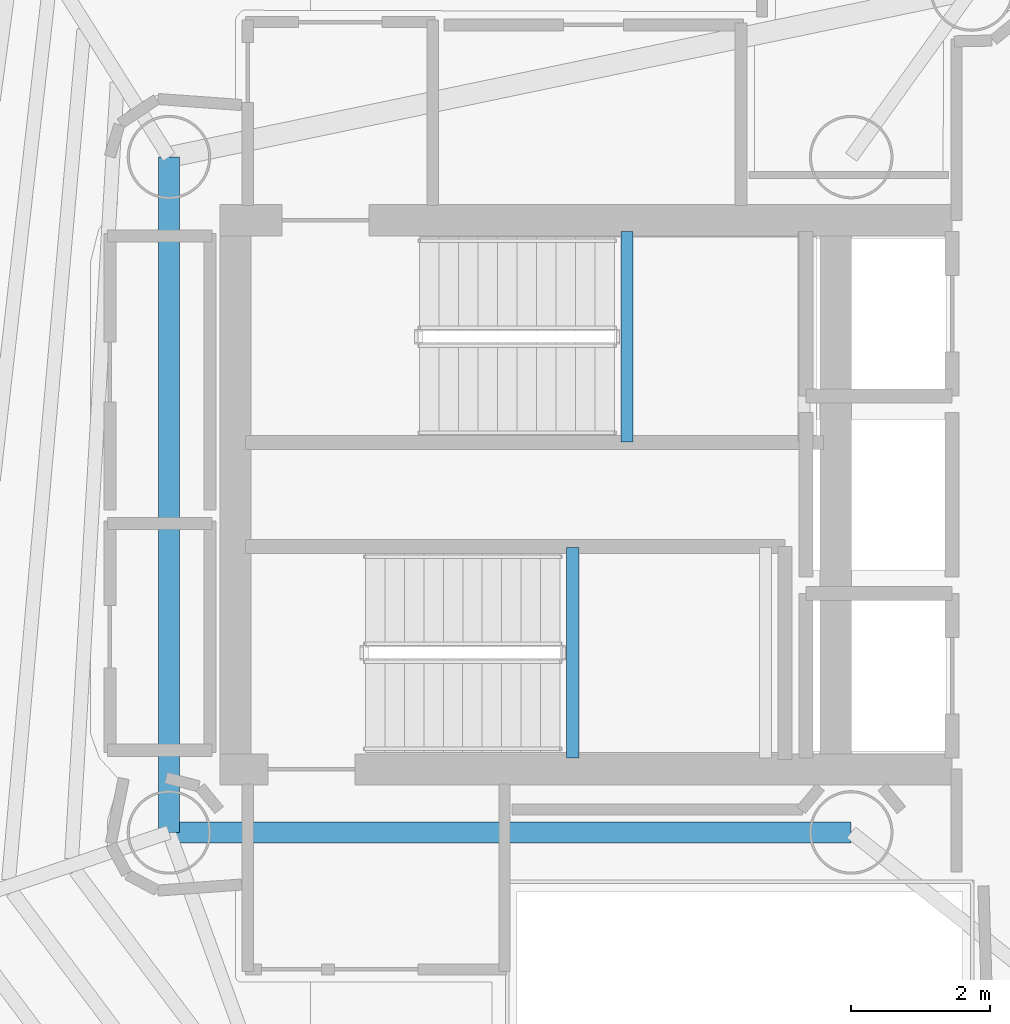
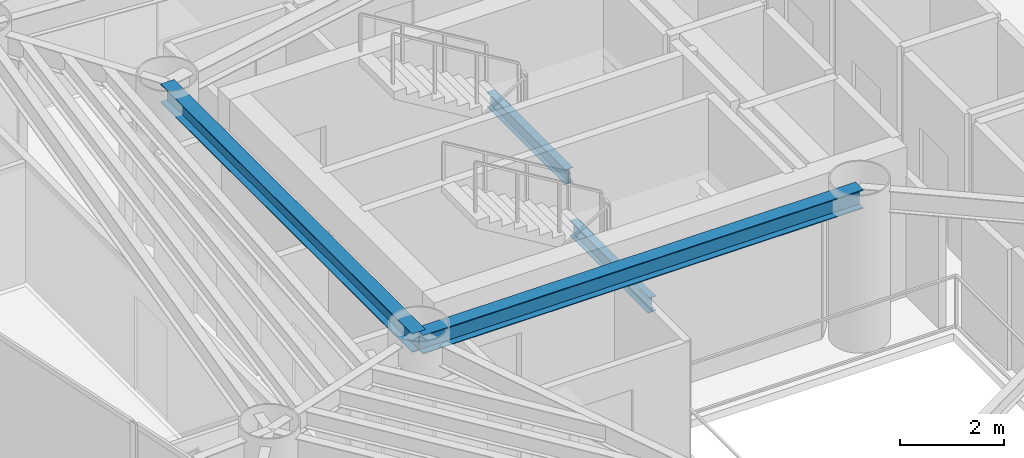
# One storey, part 9 of 22: 4 beams.
"""IFC4 building model written with IfcOpenShell, lengths in metres."""

from ifc_helpers import new_model, si_unit, direction, frame, origin, origin_2d, place, context, subcontext, project, spatial, i_section, extrude, material, material_profile, profile_set, type_object, element, save


model = new_model("IFC4")

# Units and contexts
model_context = context("Model", 3, precision=1e-05, world=origin(), true_north=direction((0.0, 1.0)))
body_context = subcontext(model_context, "Body", "Model", "MODEL_VIEW")
ifc_project = project(units=[si_unit("LENGTHUNIT", "METRE"), si_unit("AREAUNIT", "SQUARE_METRE"), si_unit("VOLUMEUNIT", "CUBIC_METRE"), si_unit("PLANEANGLEUNIT", "RADIAN"), si_unit("MASSUNIT", "GRAM", prefix="KILO")], contexts=[model_context])

# Site, building, storey
site_placement = place(None, origin())
site = spatial("IfcSite", under=ifc_project, at=site_placement, CompositionType="ELEMENT")
building_placement = place(site_placement, origin())
building = spatial("IfcBuilding", under=site, at=building_placement, Name="Qianvela Tower", CompositionType="ELEMENT")
storey_placement = place(building_placement, frame((0.0, 0.0, 200.300048828125)))
storey = spatial("IfcBuildingStorey", under=building, at=storey_placement, Name="L51", CompositionType="ELEMENT", Elevation=200.300048828125)

# Beams
ifc_material_1 = material(Name="Steel Q355B", Category="steel")
ifc_material_profile_1 = material_profile(ifc_material_1, i_section(OverallWidth=0.300048828125, OverallDepth=0.43994140625, WebThickness=0.010986328125, FlangeThickness=0.01806640625, at=origin_2d()), Name="HM440x300x11x18")
ifc_profile_set_1 = profile_set([ifc_material_profile_1], Name="Steel Q355B")
beam_type_1 = type_object("IfcBeamType", Name="BM-HM440-COLL", PredefinedType="BEAM", material=ifc_profile_set_1)
beam_1_placement = place(storey_placement, frame((28.60009765625, 23.85009765625, 3.2978515625), z_axis=(1.0, 0.0, 0.0), x_axis=(0.0, 1.0, 0.0)))
element("IfcBeam", 1, at=beam_1_placement, inside=storey, type_object=beam_type_1, Name="L51 Core Ring Collector Girder CC1", PredefinedType="BEAM", context=body_context, shape_type="SweptSolid", body=[
    extrude(i_section(OverallWidth=0.300048828125, OverallDepth=0.43994140625, WebThickness=0.010986328125, FlangeThickness=0.01806640625, at=origin_2d()), origin(), (0.0, 0.0, 1.0), 9.7998046875),
])
beam_2_placement = place(storey_placement, frame((28.60009765625, 33.550048828125, 3.2978515625), z_axis=(0.0, -1.0, 0.0), x_axis=(1.0, 0.0, 0.0)))
element("IfcBeam", 2, at=beam_2_placement, inside=storey, type_object=beam_type_1, Name="L51 Core Ring Collector Girder CC2", PredefinedType="BEAM", context=body_context, shape_type="SweptSolid", body=[
    extrude(i_section(OverallWidth=0.300048828125, OverallDepth=0.43994140625, WebThickness=0.010986328125, FlangeThickness=0.01806640625, at=origin_2d()), origin(), (0.0, 0.0, 1.0), 9.699951171875),
])
ifc_material_2 = material(Name="Steel Q355B", Category="steel")
ifc_material_profile_2 = material_profile(ifc_material_2, i_section(OverallWidth=0.175048828125, OverallDepth=0.35009765625, WebThickness=0.007080078125, FlangeThickness=0.010986328125, at=origin_2d()), Name="HN350x175x7x11")
ifc_profile_set_2 = profile_set([ifc_material_profile_2], Name="Steel Q355B")
beam_type_2 = type_object("IfcBeamType", Name="BM-HN350-JOIST", PredefinedType="JOIST", material=ifc_profile_set_2)
for number, where, z_axis, x_axis, name in (
    (3, (35.179931640625, 29.4599609375, 1.474853515625), (0.0, 1.0, 0.0), (-1.0, 0.0, 0.0), "L51 Stair ST-1 Landing Support Beam 1.1"),
    (4, (34.39990234375, 24.919921875, 1.474853515625), (0.0, 1.0, 0.0), (-1.0, 0.0, 0.0), "L51 Stair ST-2 Landing Support Beam 1.1"),
):
    element("IfcBeam", number, at=place(storey_placement, frame(where, z_axis=z_axis, x_axis=x_axis)), inside=storey, type_object=beam_type_2, Name=name, PredefinedType="JOIST", context=body_context, shape_type="SweptSolid", body=[
        extrude(i_section(OverallWidth=0.175048828125, OverallDepth=0.35009765625, WebThickness=0.007080078125, FlangeThickness=0.010986328125, at=origin_2d()), origin(), (0.0, 0.0, 1.0), 3.02001953125),
    ])

save(model, "model.ifc")
